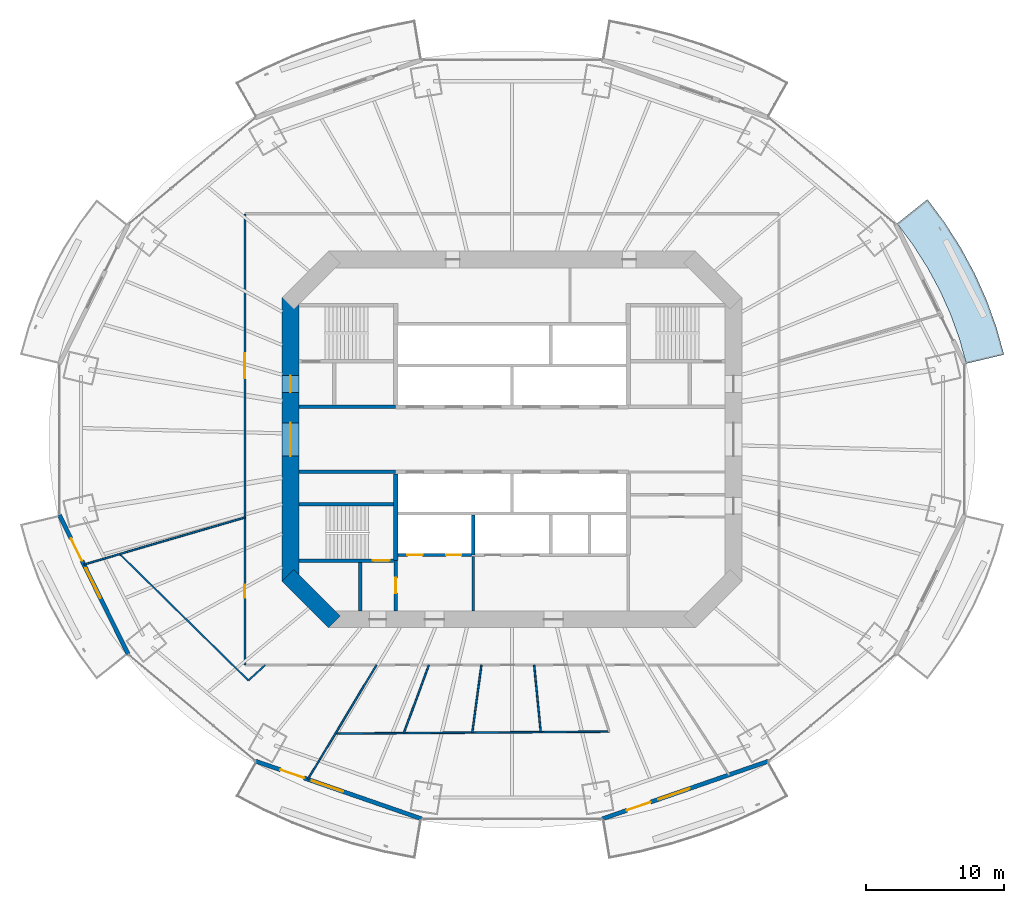
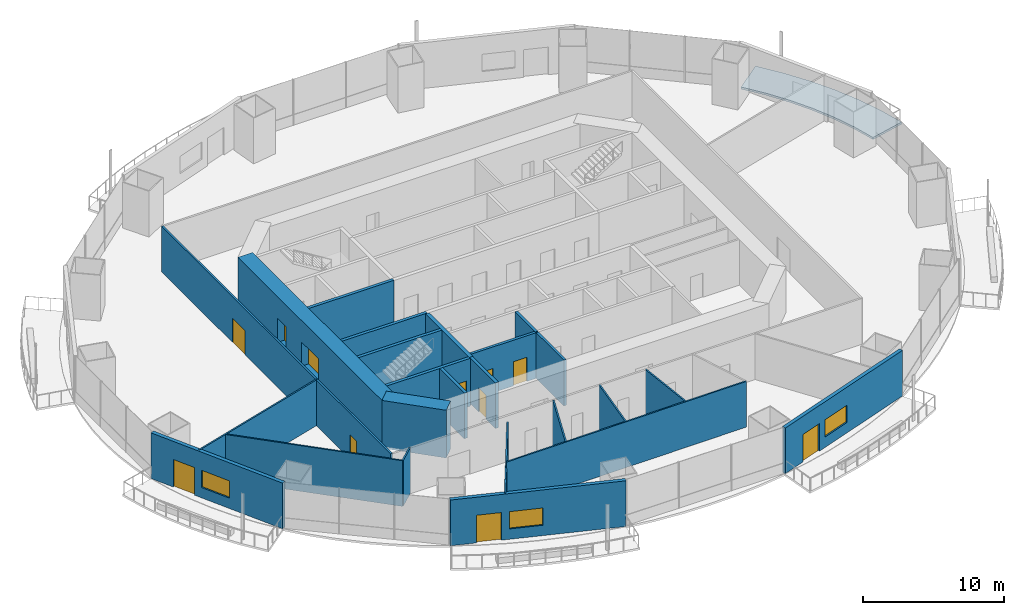
# One storey, part 12 of 20: 25 walls, 11 doors, 3 windows, 1 slab, 14 openings.
"""IFC4 building model written with IfcOpenShell, lengths in metres."""

from ifc_helpers import new_model, si_unit, direction, frame, frame_2d, origin, place, context, subcontext, project, spatial, polyline, rectangle, outline, extrude, material, layer, layer_set, type_object, element, fill, save


model = new_model("IFC4")

# Units and contexts
model_context = context("Model", 3, precision=1e-05, world=origin(), true_north=direction((0.0, 1.0)))
body_context = subcontext(model_context, "Body", "Model", "MODEL_VIEW")
ifc_project = project(units=[si_unit("LENGTHUNIT", "METRE"), si_unit("AREAUNIT", "SQUARE_METRE"), si_unit("VOLUMEUNIT", "CUBIC_METRE"), si_unit("PLANEANGLEUNIT", "RADIAN"), si_unit("MASSUNIT", "GRAM", prefix="KILO")], contexts=[model_context])

# Site, building, storey
site_placement = place(None, origin())
site = spatial("IfcSite", under=ifc_project, at=site_placement, CompositionType="ELEMENT")
building_placement = place(site_placement, origin())
building = spatial("IfcBuilding", under=site, at=building_placement, Name="Marenthal Gate Tower", CompositionType="ELEMENT")
storey_placement = place(building_placement, frame((0.0, 0.0, 136.75)))
storey = spatial("IfcBuildingStorey", under=building, at=storey_placement, Name="L29", CompositionType="ELEMENT", Elevation=136.75)

# Slab
ifc_material_1 = material(Name="Concrete 40 MPa", Category="concrete")
ifc_layer_1 = layer(ifc_material_1, 0.179931640625)
ifc_layer_set_1 = layer_set([ifc_layer_1], Name="Balcony deck 180")
slab_type = type_object("IfcSlabType", Name="Balcony deck 180", PredefinedType="USERDEFINED", material=ifc_layer_set_1)
slab_placement = place(storey_placement, frame((0.0, 0.0, -0.219970703125)))
element("IfcSlab", 1, at=slab_placement, inside=storey, type_object=slab_type, Name="Balcony deck L29 bay 1", ObjectType="BALCONY", PredefinedType="USERDEFINED", context=body_context, shape_type="SweptSolid", body=[
    extrude(outline(polyline([(32.819091796875, 5.4775390625), (32.32177734375, 7.266845703125), (31.686279296875, 9.025146484375), (30.914794921875, 10.74462890625), (30.01123046875, 12.418212890625), (28.97900390625, 14.03857421875), (27.822509765625, 15.5986328125), (30.012939453125, 17.343017578125), (31.28564453125, 15.625732421875), (32.425048828125, 13.8369140625), (33.425537109375, 11.984130859375), (34.28173828125, 10.0751953125), (34.989013671875, 8.11865234375), (35.54345703125, 6.12353515625), (32.819091796875, 5.4775390625)])), origin(), (0.0, 0.0, 1.0), 0.179931640625),
])

# Wall, openings, doors
ifc_material_2 = material(Name="Concrete 60 MPa", Category="concrete")
ifc_layer_2 = layer(ifc_material_2, 1.199951171875)
ifc_layer_set_2 = layer_set([ifc_layer_2], Name="Core shear wall 1200")
wall_type_1 = type_object("IfcWallType", Name="Core shear wall 1200", PredefinedType="SHEAR", material=ifc_layer_set_2)
wall_1_placement = place(storey_placement, frame((-16.0, 10.24853515625, -0.179931640625), z_axis=(0.0, 0.0, 1.0), x_axis=(0.0, -1.0, 0.0)))
wall_1 = element("IfcWall", 2, at=wall_1_placement, inside=storey, type_object=wall_type_1, Name="Core wall 06", PredefinedType="SHEAR", context=body_context, shape_type="SweptSolid", body=[
    extrude(rectangle(XDim=20.4970703125, YDim=1.199951171875, at=frame_2d((10.24853515625, 0.0))), origin(), (0.0, 0.0, 1.0), 4.14990234375),
])
opening_1_placement = place(wall_1_placement, frame((9.048583984375, 0.0, 0.179931640625)))
opening_1 = element("IfcOpeningElement", 3, at=opening_1_placement, cuts=wall_1, Name="Opening D003.01", PredefinedType="OPENING", context=body_context, shape_type="SweptSolid", body=[
    extrude(rectangle(XDim=2.39990234375, YDim=2.10009765625, at=frame_2d((1.199951171875, 1.050048828125))), frame((0.0, 0.60986328125, 0.0), z_axis=(0.0, -1.0, 0.0), x_axis=(1.0, 0.0, 0.0)), (0.0, 0.0, 1.0), 1.219970703125),
])
opening_2_placement = place(wall_1_placement, frame((5.6484375, 0.0, 0.179931640625)))
opening_2 = element("IfcOpeningElement", 4, at=opening_2_placement, cuts=wall_1, Name="Opening D001.04", PredefinedType="OPENING", context=body_context, shape_type="SweptSolid", body=[
    extrude(rectangle(XDim=1.199951171875, YDim=2.10009765625, at=frame_2d((0.60009765625, 1.050048828125))), frame((0.0, 0.60986328125, 0.0), z_axis=(0.0, -1.0, 0.0), x_axis=(1.0, 0.0, 0.0)), (0.0, 0.0, 1.0), 1.219970703125),
])
ifc_material_3 = material(Name="Steel fire door", Category="steel")
door_type_1 = type_object("IfcDoorType", Name="Double fire door FD 45 2400 x 2100", OperationType="DOUBLE_DOOR_SINGLE_SWING", PredefinedType="DOOR", material=ifc_material_3)
door_1_placement = place(opening_1_placement, origin())
door_1 = element("IfcDoor", 5, at=door_1_placement, inside=storey, type_object=door_type_1, Name="Door D003.01", OperationType="DOUBLE_DOOR_SINGLE_SWING", OverallHeight=2.10009765625, OverallWidth=2.39990234375, PredefinedType="DOOR", context=body_context, shape_type="SweptSolid", body=[
    extrude(rectangle(XDim=2.39990234375, YDim=2.10009765625, at=frame_2d((1.199951171875, 1.050048828125))), frame((0.0, 0.02490234375, 0.0), z_axis=(0.0, -1.0, 0.0), x_axis=(1.0, 0.0, 0.0)), (0.0, 0.0, 1.0), 0.050048828125),
])
fill(opening_1, door_1)
ifc_material_4 = material(Name="Steel fire door", Category="steel")
door_type_2 = type_object("IfcDoorType", Name="Fire door FD 90 1200 x 2100", OperationType="NOTDEFINED", PredefinedType="DOOR", material=ifc_material_4)
door_2_placement = place(opening_2_placement, origin())
door_2 = element("IfcDoor", 6, at=door_2_placement, inside=storey, type_object=door_type_2, Name="Door D001.04", OperationType="SINGLE_SWING_RIGHT", OverallHeight=2.10009765625, OverallWidth=1.199951171875, PredefinedType="DOOR", context=body_context, shape_type="SweptSolid", body=[
    extrude(rectangle(XDim=1.199951171875, YDim=2.10009765625, at=frame_2d((0.60009765625, 1.050048828125))), frame((0.0, 0.02490234375, 0.0), z_axis=(0.0, -1.0, 0.0), x_axis=(1.0, 0.0, 0.0)), (0.0, 0.0, 1.0), 0.050048828125),
])
fill(opening_2, door_2)

# Walls
wall_2_placement = place(storey_placement, frame((-16.17578125, -9.82421875, -0.179931640625), z_axis=(0.0, 0.0, 1.0), x_axis=(0.707106781187, -0.707106781187, 0.0)))
element("IfcWall", 7, at=wall_2_placement, inside=storey, type_object=wall_type_1, Name="Core wall 07", PredefinedType="SHEAR", context=body_context, shape_type="SweptSolid", body=[
    extrude(rectangle(XDim=4.73974609375, YDim=1.199951171875, at=frame_2d((2.369873046875, 0.0))), origin(), (0.0, 0.0, 1.0), 4.14990234375),
])
ifc_material_5 = material(Name="Gypsum board on steel studs", Category="steel")
ifc_layer_3 = layer(ifc_material_5, 0.199951171875)
ifc_layer_set_3 = layer_set([ifc_layer_3], Name="Fire lobby wall 200")
wall_type_2 = type_object("IfcWallType", Name="Fire lobby wall 200", PredefinedType="PARTITIONING", material=ifc_layer_set_3)
wall_3_placement = place(storey_placement, frame((-2.800048828125, -12.39990234375, 0.0), z_axis=(0.0, 0.0, 1.0), x_axis=(0.0, 1.0, 0.0)))
element("IfcWall", 8, at=wall_3_placement, inside=storey, type_object=wall_type_2, Name="Fire wall 34", PredefinedType="PARTITIONING", context=body_context, shape_type="SweptSolid", body=[
    extrude(rectangle(XDim=3.93994140625, YDim=0.199951171875, at=frame_2d((1.969970703125, 0.0))), origin(), (0.0, 0.0, 1.0), 3.969970703125),
])
ifc_material_6 = material(Name="Concrete 50 MPa", Category="concrete")
ifc_layer_4 = layer(ifc_material_6, 0.300048828125)
ifc_layer_set_4 = layer_set([ifc_layer_4], Name="Hoistway shear wall 300")
wall_type_3 = type_object("IfcWallType", Name="Hoistway shear wall 300", PredefinedType="SHEAR", material=ifc_layer_set_4)
wall_4_placement = place(storey_placement, frame((-8.39990234375, -8.75, -0.179931640625), z_axis=(0.0, 0.0, 1.0), x_axis=(0.0, 1.0, 0.0)))
element("IfcWall", 9, at=wall_4_placement, inside=storey, type_object=wall_type_3, Name="Hoistway wall 31", PredefinedType="SHEAR", context=body_context, shape_type="SweptSolid", body=[
    extrude(rectangle(XDim=6.25, YDim=0.300048828125, at=frame_2d((3.125, 0.0))), origin(), (0.0, 0.0, 1.0), 4.14990234375),
])

# Wall, openings, doors
ifc_material_7 = material(Name="Concrete 40 MPa", Category="concrete")
ifc_layer_5 = layer(ifc_material_7, 0.219970703125)
ifc_layer_set_5 = layer_set([ifc_layer_5], Name="Hoistway wall 220")
wall_type_4 = type_object("IfcWallType", Name="Hoistway wall 220", PredefinedType="STANDARD", material=ifc_layer_set_5)
wall_5_placement = place(storey_placement, frame((-8.25, -8.35009765625, 0.0), z_axis=(0.0, 0.0, 1.0), x_axis=(1.0, 0.0, 0.0)))
wall_5 = element("IfcWall", 10, at=wall_5_placement, inside=storey, type_object=wall_type_4, Name="Hoistway wall 10", PredefinedType="STANDARD", context=body_context, shape_type="SweptSolid", body=[
    extrude(rectangle(XDim=5.340087890625, YDim=0.219970703125, at=frame_2d((2.669921875, 0.0))), origin(), (0.0, 0.0, 1.0), 3.969970703125),
])
opening_3_placement = place(wall_5_placement, frame((0.699951171875, 0.0, 0.0)))
opening_3 = element("IfcOpeningElement", 11, at=opening_3_placement, cuts=wall_5, Name="Opening LD-LF1", PredefinedType="OPENING", context=body_context, shape_type="SweptSolid", body=[
    extrude(rectangle(XDim=1.10009765625, YDim=2.10009765625, at=frame_2d((0.550048828125, 1.050048828125))), frame((0.0, 0.1201171875, 0.0), z_axis=(0.0, -1.0, 0.0), x_axis=(1.0, 0.0, 0.0)), (0.0, 0.0, 1.0), 0.239990234375),
])
opening_4_placement = place(wall_5_placement, frame((3.5, 0.0, 0.0)))
opening_4 = element("IfcOpeningElement", 12, at=opening_4_placement, cuts=wall_5, Name="Opening LD-LF2", PredefinedType="OPENING", context=body_context, shape_type="SweptSolid", body=[
    extrude(rectangle(XDim=1.10009765625, YDim=2.10009765625, at=frame_2d((0.550048828125, 1.050048828125))), frame((0.0, 0.1201171875, 0.0), z_axis=(0.0, -1.0, 0.0), x_axis=(1.0, 0.0, 0.0)), (0.0, 0.0, 1.0), 0.239990234375),
])
ifc_material_8 = material(Name="Stainless steel sliding door", Category="steel")
door_type_3 = type_object("IfcDoorType", Name="Lift landing door FD 90 1100 x 2100", OperationType="DOUBLE_DOOR_SLIDING", PredefinedType="DOOR", material=ifc_material_8)
door_3_placement = place(opening_3_placement, origin())
door_3 = element("IfcDoor", 13, at=door_3_placement, inside=storey, type_object=door_type_3, Name="Lift landing door LF1", OperationType="DOUBLE_DOOR_SLIDING", OverallHeight=2.10009765625, OverallWidth=1.10009765625, PredefinedType="DOOR", context=body_context, shape_type="SweptSolid", body=[
    extrude(rectangle(XDim=1.10009765625, YDim=2.10009765625, at=frame_2d((0.550048828125, 1.050048828125))), frame((0.0, 0.02490234375, 0.0), z_axis=(0.0, -1.0, 0.0), x_axis=(1.0, 0.0, 0.0)), (0.0, 0.0, 1.0), 0.050048828125),
])
fill(opening_3, door_3)
door_4_placement = place(opening_4_placement, origin())
door_4 = element("IfcDoor", 14, at=door_4_placement, inside=storey, type_object=door_type_3, Name="Lift landing door LF2", OperationType="DOUBLE_DOOR_SLIDING", OverallHeight=2.10009765625, OverallWidth=1.10009765625, PredefinedType="DOOR", context=body_context, shape_type="SweptSolid", body=[
    extrude(rectangle(XDim=1.10009765625, YDim=2.10009765625, at=frame_2d((0.550048828125, 1.050048828125))), frame((0.0, 0.02490234375, 0.0), z_axis=(0.0, -1.0, 0.0), x_axis=(1.0, 0.0, 0.0)), (0.0, 0.0, 1.0), 0.050048828125),
])
fill(opening_4, door_4)

# Walls
wall_6_placement = place(storey_placement, frame((-2.800048828125, -8.35009765625, 0.0), z_axis=(0.0, 0.0, 1.0), x_axis=(0.0, 1.0, 0.0)))
element("IfcWall", 15, at=wall_6_placement, inside=storey, type_object=wall_type_4, Name="Hoistway wall 35", PredefinedType="STANDARD", context=body_context, shape_type="SweptSolid", body=[
    extrude(rectangle(XDim=2.89013671875, YDim=0.219970703125, at=frame_2d((1.445068359375, 0.0))), origin(), (0.0, 0.0, 1.0), 3.969970703125),
])
ifc_material_9 = material(Name="Gypsum board on steel studs", Category="steel")
ifc_layer_6 = layer(ifc_material_9, 0.1201171875)
ifc_layer_set_6 = layer_set([ifc_layer_6], Name="Partition 120")
wall_type_5 = type_object("IfcWallType", Name="Partition 120", PredefinedType="PARTITIONING", material=ifc_layer_set_6)
wall_7_placement = place(storey_placement, frame((-28.33935546875, -8.283203125, 0.0), z_axis=(0.0, 0.0, 1.0), x_axis=(0.713457191916, -0.700698819254, 0.0)))
element("IfcWall", 16, at=wall_7_placement, inside=storey, type_object=wall_type_5, Name="Partition wall 47", PredefinedType="PARTITIONING", context=body_context, shape_type="SweptSolid", body=[
    extrude(rectangle(XDim=13.031494140625, YDim=0.1201171875, at=frame_2d((6.515625, 0.0))), origin(), (0.0, 0.0, 1.0), 3.969970703125),
])
wall_8_placement = place(storey_placement, frame((-19.300048828125, -5.64111328125, 0.0), z_axis=(0.0, 0.0, 1.0), x_axis=(-0.959840289201, -0.280547000032, 0.0)))
element("IfcWall", 17, at=wall_8_placement, inside=storey, type_object=wall_type_5, Name="Partition wall 49", PredefinedType="PARTITIONING", context=body_context, shape_type="SweptSolid", body=[
    extrude(rectangle(XDim=12.1162109375, YDim=0.1201171875, at=frame_2d((6.05810546875, 0.0))), origin(), (0.0, 0.0, 1.0), 3.969970703125),
])
wall_9_placement = place(storey_placement, frame((-19.0419921875, -17.414306640625, 0.0), z_axis=(0.0, 0.0, 1.0), x_axis=(0.73796990182, 0.67483362691, 0.0)))
element("IfcWall", 18, at=wall_9_placement, inside=storey, type_object=wall_type_5, Name="Partition wall 51", PredefinedType="PARTITIONING", context=body_context, shape_type="SweptSolid", body=[
    extrude(rectangle(XDim=1.651123046875, YDim=0.1201171875, at=frame_2d((0.82568359375, 0.0))), origin(), (0.0, 0.0, 1.0), 3.969970703125),
])
wall_10_placement = place(storey_placement, frame((-12.761962890625, -21.254638671875, 0.0), z_axis=(0.0, 0.0, 1.0), x_axis=(0.999972864722, 0.007366805289, 0.0)))
element("IfcWall", 19, at=wall_10_placement, inside=storey, type_object=wall_type_5, Name="Partition wall 52", PredefinedType="PARTITIONING", context=body_context, shape_type="SweptSolid", body=[
    extrude(rectangle(XDim=19.784912109375, YDim=0.1201171875, at=frame_2d((9.892578125, 0.0))), origin(), (0.0, 0.0, 1.0), 3.969970703125),
])
wall_11_placement = place(storey_placement, frame((-9.787109375, -16.300048828125, 0.0), z_axis=(0.0, 0.0, 1.0), x_axis=(-0.514767791152, -0.857329645581, 0.0)))
element("IfcWall", 20, at=wall_11_placement, inside=storey, type_object=wall_type_5, Name="Partition wall 53", PredefinedType="PARTITIONING", context=body_context, shape_type="SweptSolid", body=[
    extrude(rectangle(XDim=7.91796875, YDim=0.1201171875, at=frame_2d((3.958984375, 0.0))), origin(), (0.0, 0.0, 1.0), 3.43408203125),
])
wall_12_placement = place(storey_placement, frame((-13.863037109375, -23.08837890625, 0.0), z_axis=(0.0, 0.0, 1.0), x_axis=(-0.514663331063, -0.85739235806, 0.0)))
element("IfcWall", 21, at=wall_12_placement, inside=storey, type_object=wall_type_5, Name="Partition wall 62", PredefinedType="PARTITIONING", context=body_context, shape_type="SweptSolid", body=[
    extrude(rectangle(XDim=1.7138671875, YDim=0.1201171875, at=frame_2d((0.85693359375, 0.0))), origin(), (0.0, 0.0, 1.0), 3.969970703125),
])
wall_13_placement = place(storey_placement, frame((-7.81591796875, -21.21826171875, 0.0), z_axis=(0.0, 0.0, 1.0), x_axis=(0.345670821163, 0.938355840498, 0.0)))
element("IfcWall", 22, at=wall_13_placement, inside=storey, type_object=wall_type_5, Name="Partition wall 54", PredefinedType="PARTITIONING", context=body_context, shape_type="SweptSolid", body=[
    extrude(rectangle(XDim=5.2412109375, YDim=0.1201171875, at=frame_2d((2.62060546875, 0.0))), origin(), (0.0, 0.0, 1.0), 3.969970703125),
])
wall_14_placement = place(storey_placement, frame((-2.86962890625, -21.181640625, 0.0), z_axis=(0.0, 0.0, 1.0), x_axis=(0.134257269098, 0.990946510007, 0.0)))
element("IfcWall", 23, at=wall_14_placement, inside=storey, type_object=wall_type_5, Name="Partition wall 55", PredefinedType="PARTITIONING", context=body_context, shape_type="SweptSolid", body=[
    extrude(rectangle(XDim=4.92626953125, YDim=0.1201171875, at=frame_2d((2.463134765625, 0.0))), origin(), (0.0, 0.0, 1.0), 3.969970703125),
])
wall_15_placement = place(storey_placement, frame((2.076416015625, -21.145263671875, 0.0), z_axis=(0.0, 0.0, 1.0), x_axis=(-0.097736013263, 0.99521237518, 0.0)))
element("IfcWall", 24, at=wall_15_placement, inside=storey, type_object=wall_type_5, Name="Partition wall 56", PredefinedType="PARTITIONING", context=body_context, shape_type="SweptSolid", body=[
    extrude(rectangle(XDim=4.868408203125, YDim=0.1201171875, at=frame_2d((2.43408203125, 0.0))), origin(), (0.0, 0.0, 1.0), 3.969970703125),
])

# Wall, openings, doors
ifc_material_10 = material(Name="Gypsum board on steel studs", Category="steel")
ifc_layer_7 = layer(ifc_material_10, 0.14990234375)
ifc_layer_set_7 = layer_set([ifc_layer_7], Name="Partition 150")
wall_type_6 = type_object("IfcWallType", Name="Partition 150", PredefinedType="PARTITIONING", material=ifc_layer_set_7)
wall_16_placement = place(storey_placement, frame((-19.300048828125, -16.300048828125, 0.0), z_axis=(0.0, 0.0, 1.0), x_axis=(0.0, 1.0, 0.0)))
wall_16 = element("IfcWall", 25, at=wall_16_placement, inside=storey, type_object=wall_type_6, Name="Partition wall 48", PredefinedType="PARTITIONING", context=body_context, shape_type="SweptSolid", body=[
    extrude(rectangle(XDim=32.60009765625, YDim=0.14990234375, at=frame_2d((16.300048828125, 0.0))), origin(), (0.0, 0.0, 1.0), 3.969970703125),
])
opening_5_placement = place(wall_16_placement, frame((20.72998046875, 0.0, 0.0)))
opening_5 = element("IfcOpeningElement", 26, at=opening_5_placement, cuts=wall_16, Name="Opening D014.01", PredefinedType="OPENING", context=body_context, shape_type="SweptSolid", body=[
    extrude(rectangle(XDim=1.800048828125, YDim=2.10009765625, at=frame_2d((0.89990234375, 1.050048828125))), frame((0.0, 0.0849609375, 0.0), z_axis=(0.0, -1.0, 0.0), x_axis=(1.0, 0.0, 0.0)), (0.0, 0.0, 1.0), 0.169921875),
])
opening_6_placement = place(wall_16_placement, frame((4.85498046875, 0.0, 0.0)))
opening_6 = element("IfcOpeningElement", 27, at=opening_6_placement, cuts=wall_16, Name="Opening D016.01", PredefinedType="OPENING", context=body_context, shape_type="SweptSolid", body=[
    extrude(rectangle(XDim=0.949951171875, YDim=2.10009765625, at=frame_2d((0.47509765625, 1.050048828125))), frame((0.0, 0.0849609375, 0.0), z_axis=(0.0, -1.0, 0.0), x_axis=(1.0, 0.0, 0.0)), (0.0, 0.0, 1.0), 0.169921875),
])
ifc_material_11 = material(Name="Timber door", Category="wood")
door_type_4 = type_object("IfcDoorType", Name="Door 950 x 2100", OperationType="NOTDEFINED", PredefinedType="DOOR", material=ifc_material_11)
door_5_placement = place(opening_6_placement, origin())
door_5 = element("IfcDoor", 28, at=door_5_placement, inside=storey, type_object=door_type_4, Name="Door D016.01", OperationType="SINGLE_SWING_RIGHT", OverallHeight=2.10009765625, OverallWidth=0.949951171875, PredefinedType="DOOR", context=body_context, shape_type="SweptSolid", body=[
    extrude(rectangle(XDim=0.949951171875, YDim=2.10009765625, at=frame_2d((0.47509765625, 1.050048828125))), frame((0.0, 0.02490234375, 0.0), z_axis=(0.0, -1.0, 0.0), x_axis=(1.0, 0.0, 0.0)), (0.0, 0.0, 1.0), 0.050048828125),
])
fill(opening_6, door_5)
ifc_material_12 = material(Name="Timber door", Category="wood")
door_type_5 = type_object("IfcDoorType", Name="Double door 1800 x 2100", OperationType="DOUBLE_DOOR_SINGLE_SWING", PredefinedType="DOOR", material=ifc_material_12)
door_6_placement = place(opening_5_placement, origin())
door_6 = element("IfcDoor", 29, at=door_6_placement, inside=storey, type_object=door_type_5, Name="Door D014.01", OperationType="DOUBLE_DOOR_SINGLE_SWING", OverallHeight=2.10009765625, OverallWidth=1.800048828125, PredefinedType="DOOR", context=body_context, shape_type="SweptSolid", body=[
    extrude(rectangle(XDim=1.800048828125, YDim=2.10009765625, at=frame_2d((0.89990234375, 1.050048828125))), frame((0.0, 0.02490234375, 0.0), z_axis=(0.0, -1.0, 0.0), x_axis=(1.0, 0.0, 0.0)), (0.0, 0.0, 1.0), 0.050048828125),
])
fill(opening_5, door_6)

# Walls
ifc_material_13 = material(Name="Concrete 40 MPa", Category="concrete")
ifc_layer_8 = layer(ifc_material_13, 0.25)
ifc_layer_set_8 = layer_set([ifc_layer_8], Name="Stair enclosure wall 250")
wall_type_7 = type_object("IfcWallType", Name="Stair enclosure wall 250", PredefinedType="STANDARD", material=ifc_layer_set_8)
for number, where, z_axis, x_axis, name in (
    (30, (-15.39990234375, -2.35009765625, 0.0), (0.0, 0.0, 1.0), (1.0, 0.0, 0.0), "Stair wall 16"),
    (31, (-15.39990234375, 2.35009765625, 0.0), (0.0, 0.0, 1.0), (1.0, 0.0, 0.0), "Stair wall 19"),
):
    element("IfcWall", number, at=place(storey_placement, frame(where, z_axis=z_axis, x_axis=x_axis)), inside=storey, type_object=wall_type_7, Name=name, PredefinedType="STANDARD", context=body_context, shape_type="SweptSolid", body=[
        extrude(rectangle(XDim=7.0, YDim=0.25, at=frame_2d((3.5, 0.0))), origin(), (0.0, 0.0, 1.0), 3.969970703125),
    ])
wall_17_placement = place(storey_placement, frame((-10.949951171875, -12.39990234375, 0.0), z_axis=(0.0, 0.0, 1.0), x_axis=(0.0, 1.0, 0.0)))
element("IfcWall", 32, at=wall_17_placement, inside=storey, type_object=wall_type_7, Name="Stair wall 29", PredefinedType="STANDARD", context=body_context, shape_type="SweptSolid", body=[
    extrude(rectangle(XDim=3.52490234375, YDim=0.25, at=frame_2d((1.762451171875, 0.0))), origin(), (0.0, 0.0, 1.0), 3.969970703125),
])

# Wall, opening, door
wall_18_placement = place(storey_placement, frame((-8.39990234375, -12.39990234375, 0.0), z_axis=(0.0, 0.0, 1.0), x_axis=(0.0, 1.0, 0.0)))
wall_18 = element("IfcWall", 33, at=wall_18_placement, inside=storey, type_object=wall_type_7, Name="Stair wall 30", PredefinedType="STANDARD", context=body_context, shape_type="SweptSolid", body=[
    extrude(rectangle(XDim=3.64990234375, YDim=0.25, at=frame_2d((1.824951171875, 0.0))), origin(), (0.0, 0.0, 1.0), 3.969970703125),
])
opening_7_placement = place(wall_18_placement, frame((1.300048828125, 0.0, 0.0)))
opening_7 = element("IfcOpeningElement", 34, at=opening_7_placement, cuts=wall_18, Name="Opening D002.01", PredefinedType="OPENING", context=body_context, shape_type="SweptSolid", body=[
    extrude(rectangle(XDim=1.10009765625, YDim=2.10009765625, at=frame_2d((0.550048828125, 1.050048828125))), frame((0.0, 0.135009765625, 0.0), z_axis=(0.0, -1.0, 0.0), x_axis=(1.0, 0.0, 0.0)), (0.0, 0.0, 1.0), 0.27001953125),
])
ifc_material_14 = material(Name="Steel fire door", Category="steel")
door_type_6 = type_object("IfcDoorType", Name="Fire door FD 90 1100 x 2100", OperationType="NOTDEFINED", PredefinedType="DOOR", material=ifc_material_14)
door_7_placement = place(opening_7_placement, origin())
door_7 = element("IfcDoor", 35, at=door_7_placement, inside=storey, type_object=door_type_6, Name="Door D002.01", OperationType="SINGLE_SWING_RIGHT", OverallHeight=2.10009765625, OverallWidth=1.10009765625, PredefinedType="DOOR", context=body_context, shape_type="SweptSolid", body=[
    extrude(rectangle(XDim=1.10009765625, YDim=2.10009765625, at=frame_2d((0.550048828125, 1.050048828125))), frame((0.0, 0.02490234375, 0.0), z_axis=(0.0, -1.0, 0.0), x_axis=(1.0, 0.0, 0.0)), (0.0, 0.0, 1.0), 0.050048828125),
])
fill(opening_7, door_7)

ifc_material_15 = material(Name="Concrete 50 MPa", Category="concrete")
ifc_layer_9 = layer(ifc_material_15, 0.25)
ifc_layer_set_9 = layer_set([ifc_layer_9], Name="Stair shear wall 250")
wall_type_8 = type_object("IfcWallType", Name="Stair shear wall 250", PredefinedType="SHEAR", material=ifc_layer_set_9)
wall_19_placement = place(storey_placement, frame((-15.39990234375, -8.75, -0.179931640625), z_axis=(0.0, 0.0, 1.0), x_axis=(1.0, 0.0, 0.0)))
wall_19 = element("IfcWall", 36, at=wall_19_placement, inside=storey, type_object=wall_type_8, Name="Stair wall 09", PredefinedType="SHEAR", context=body_context, shape_type="SweptSolid", body=[
    extrude(rectangle(XDim=6.849853515625, YDim=0.25, at=frame_2d((3.4248046875, 0.0))), origin(), (0.0, 0.0, 1.0), 4.14990234375),
])
opening_8_placement = place(wall_19_placement, frame((5.35009765625, 0.0, 0.179931640625)))
opening_8 = element("IfcOpeningElement", 37, at=opening_8_placement, cuts=wall_19, Name="Opening D001.03", PredefinedType="OPENING", context=body_context, shape_type="SweptSolid", body=[
    extrude(rectangle(XDim=1.199951171875, YDim=2.10009765625, at=frame_2d((0.60009765625, 1.050048828125))), frame((0.0, 0.135009765625, 0.0), z_axis=(0.0, -1.0, 0.0), x_axis=(1.0, 0.0, 0.0)), (0.0, 0.0, 1.0), 0.27001953125),
])
door_8_placement = place(opening_8_placement, origin())
door_8 = element("IfcDoor", 38, at=door_8_placement, inside=storey, type_object=door_type_2, Name="Door D001.03", OperationType="SINGLE_SWING_RIGHT", OverallHeight=2.10009765625, OverallWidth=1.199951171875, PredefinedType="DOOR", context=body_context, shape_type="SweptSolid", body=[
    extrude(rectangle(XDim=1.199951171875, YDim=2.10009765625, at=frame_2d((0.60009765625, 1.050048828125))), frame((0.0, 0.02490234375, 0.0), z_axis=(0.0, -1.0, 0.0), x_axis=(1.0, 0.0, 0.0)), (0.0, 0.0, 1.0), 0.050048828125),
])
fill(opening_8, door_8)

# Wall
wall_20_placement = place(storey_placement, frame((-15.39990234375, -4.699951171875, -0.179931640625), z_axis=(0.0, 0.0, 1.0), x_axis=(1.0, 0.0, 0.0)))
element("IfcWall", 39, at=wall_20_placement, inside=storey, type_object=wall_type_8, Name="Stair wall 14", PredefinedType="SHEAR", context=body_context, shape_type="SweptSolid", body=[
    extrude(rectangle(XDim=6.849853515625, YDim=0.25, at=frame_2d((3.4248046875, 0.0))), origin(), (0.0, 0.0, 1.0), 4.14990234375),
])

# Wall, openings, door, window
ifc_material_16 = material(Name="Terracotta cladding on insulated concrete-block backing", Category="masonry")
ifc_layer_10 = layer(ifc_material_16, 0.300048828125)
ifc_layer_set_10 = layer_set([ifc_layer_10], Name="Terracotta facade wall 300")
wall_type_9 = type_object("IfcWallType", Name="Terracotta facade wall 300", PredefinedType="SOLIDWALL", material=ifc_layer_set_10)
wall_21_placement = place(storey_placement, frame((-32.701416015625, -5.4541015625, 0.0), z_axis=(0.0, 0.0, 1.0), x_axis=(0.442899302783, -0.896571362243, 0.0)))
wall_21 = element("IfcWall", 40, at=wall_21_placement, inside=storey, type_object=wall_type_9, Name="Terracotta facade wall L29 bay 9", PredefinedType="SOLIDWALL", context=body_context, shape_type="SweptSolid", body=[
    extrude(rectangle(XDim=11.24072265625, YDim=0.300048828125, at=frame_2d((5.620361328125, 0.0))), origin(), (0.0, 0.0, 1.0), 3.969970703125),
])
opening_9_placement = place(wall_21_placement, frame((1.89990234375, 0.0, 0.0)))
opening_9 = element("IfcOpeningElement", 41, at=opening_9_placement, cuts=wall_21, Name="Opening BD-L29-09", PredefinedType="OPENING", context=body_context, shape_type="SweptSolid", body=[
    extrude(rectangle(XDim=1.800048828125, YDim=2.39990234375, at=frame_2d((0.89990234375, 1.199951171875))), frame((0.0, 0.16015625, 0.0), z_axis=(0.0, -1.0, 0.0), x_axis=(1.0, 0.0, 0.0)), (0.0, 0.0, 1.0), 0.320068359375),
])
opening_10_placement = place(wall_21_placement, frame((4.300048828125, 0.0, 0.89990234375)))
opening_10 = element("IfcOpeningElement", 42, at=opening_10_placement, cuts=wall_21, Name="Opening WN1-L29-09", PredefinedType="OPENING", context=body_context, shape_type="SweptSolid", body=[
    extrude(rectangle(XDim=2.39990234375, YDim=1.5, at=frame_2d((1.199951171875, 0.75))), frame((0.0, 0.16015625, 0.0), z_axis=(0.0, -1.0, 0.0), x_axis=(1.0, 0.0, 0.0)), (0.0, 0.0, 1.0), 0.320068359375),
])
ifc_material_17 = material(Name="Aluminium and glass", Category="aluminium")
door_type_7 = type_object("IfcDoorType", Name="Balcony door 1800x2400", OperationType="DOUBLE_DOOR_SINGLE_SWING", PredefinedType="DOOR", material=ifc_material_17)
door_9_placement = place(opening_9_placement, origin())
door_9 = element("IfcDoor", 43, at=door_9_placement, inside=storey, type_object=door_type_7, Name="Balcony door L29 bay 9", OperationType="SINGLE_SWING_LEFT", OverallHeight=2.39990234375, OverallWidth=1.800048828125, PredefinedType="DOOR", context=body_context, shape_type="SweptSolid", body=[
    extrude(rectangle(XDim=1.800048828125, YDim=2.39990234375, at=frame_2d((0.89990234375, 1.199951171875))), frame((0.0, 0.02490234375, 0.0), z_axis=(0.0, -1.0, 0.0), x_axis=(1.0, 0.0, 0.0)), (0.0, 0.0, 1.0), 0.050048828125),
])
fill(opening_9, door_9)
ifc_material_18 = material(Name="Aluminium and glass", Category="aluminium")
window_type = type_object("IfcWindowType", Name="Window 2400x1500", PartitioningType="TRIPLE_PANEL_VERTICAL", PredefinedType="WINDOW", material=ifc_material_18)
window_1_placement = place(opening_10_placement, origin())
window_1 = element("IfcWindow", 44, at=window_1_placement, inside=storey, type_object=window_type, Name="Window L29 bay 9", OverallHeight=1.5, OverallWidth=2.39990234375, PartitioningType="SINGLE_PANEL", PredefinedType="WINDOW", context=body_context, shape_type="SweptSolid", body=[
    extrude(rectangle(XDim=2.39990234375, YDim=1.5, at=frame_2d((1.199951171875, 0.75))), frame((0.0, 0.030029296875, 0.0), z_axis=(0.0, -1.0, 0.0), x_axis=(1.0, 0.0, 0.0)), (0.0, 0.0, 1.0), 0.06005859375),
])
fill(opening_10, window_1)

wall_22_placement = place(storey_placement, frame((-18.523681640625, -23.245361328125, 0.0), z_axis=(0.0, 0.0, 1.0), x_axis=(0.944642444618, -0.328101587661, 0.0)))
wall_22 = element("IfcWall", 45, at=wall_22_placement, inside=storey, type_object=wall_type_9, Name="Terracotta facade wall L29 bay 11", PredefinedType="SOLIDWALL", context=body_context, shape_type="SweptSolid", body=[
    extrude(rectangle(XDim=12.723388671875, YDim=0.300048828125, at=frame_2d((6.36181640625, 0.0))), origin(), (0.0, 0.0, 1.0), 3.969970703125),
])
opening_11_placement = place(wall_22_placement, frame((1.89990234375, 0.0, 0.0)))
opening_11 = element("IfcOpeningElement", 46, at=opening_11_placement, cuts=wall_22, Name="Opening BD-L29-11", PredefinedType="OPENING", context=body_context, shape_type="SweptSolid", body=[
    extrude(rectangle(XDim=1.800048828125, YDim=2.39990234375, at=frame_2d((0.89990234375, 1.199951171875))), frame((0.0, 0.16015625, 0.0), z_axis=(0.0, -1.0, 0.0), x_axis=(1.0, 0.0, 0.0)), (0.0, 0.0, 1.0), 0.320068359375),
])
opening_12_placement = place(wall_22_placement, frame((4.300048828125, 0.0, 0.89990234375)))
opening_12 = element("IfcOpeningElement", 47, at=opening_12_placement, cuts=wall_22, Name="Opening WN1-L29-11", PredefinedType="OPENING", context=body_context, shape_type="SweptSolid", body=[
    extrude(rectangle(XDim=2.39990234375, YDim=1.5, at=frame_2d((1.199951171875, 0.75))), frame((0.0, 0.16015625, 0.0), z_axis=(0.0, -1.0, 0.0), x_axis=(1.0, 0.0, 0.0)), (0.0, 0.0, 1.0), 0.320068359375),
])
door_10_placement = place(opening_11_placement, origin())
door_10 = element("IfcDoor", 48, at=door_10_placement, inside=storey, type_object=door_type_7, Name="Balcony door L29 bay 11", OperationType="SINGLE_SWING_LEFT", OverallHeight=2.39990234375, OverallWidth=1.800048828125, PredefinedType="DOOR", context=body_context, shape_type="SweptSolid", body=[
    extrude(rectangle(XDim=1.800048828125, YDim=2.39990234375, at=frame_2d((0.89990234375, 1.199951171875))), frame((0.0, 0.02490234375, 0.0), z_axis=(0.0, -1.0, 0.0), x_axis=(1.0, 0.0, 0.0)), (0.0, 0.0, 1.0), 0.050048828125),
])
fill(opening_11, door_10)
window_2_placement = place(opening_12_placement, origin())
window_2 = element("IfcWindow", 49, at=window_2_placement, inside=storey, type_object=window_type, Name="Window L29 bay 11", OverallHeight=1.5, OverallWidth=2.39990234375, PartitioningType="SINGLE_PANEL", PredefinedType="WINDOW", context=body_context, shape_type="SweptSolid", body=[
    extrude(rectangle(XDim=2.39990234375, YDim=1.5, at=frame_2d((1.199951171875, 0.75))), frame((0.0, 0.030029296875, 0.0), z_axis=(0.0, -1.0, 0.0), x_axis=(1.0, 0.0, 0.0)), (0.0, 0.0, 1.0), 0.06005859375),
])
fill(opening_12, window_2)

wall_23_placement = place(storey_placement, frame((6.504638671875, -27.419921875, 0.0), z_axis=(0.0, 0.0, 1.0), x_axis=(0.944644510201, 0.32809564055, 0.0)))
wall_23 = element("IfcWall", 50, at=wall_23_placement, inside=storey, type_object=wall_type_9, Name="Terracotta facade wall L29 bay 13", PredefinedType="SOLIDWALL", context=body_context, shape_type="SweptSolid", body=[
    extrude(rectangle(XDim=12.7236328125, YDim=0.300048828125, at=frame_2d((6.36181640625, 0.0))), origin(), (0.0, 0.0, 1.0), 3.969970703125),
])
opening_13_placement = place(wall_23_placement, frame((1.89990234375, 0.0, 0.0)))
opening_13 = element("IfcOpeningElement", 51, at=opening_13_placement, cuts=wall_23, Name="Opening BD-L29-13", PredefinedType="OPENING", context=body_context, shape_type="SweptSolid", body=[
    extrude(rectangle(XDim=1.800048828125, YDim=2.39990234375, at=frame_2d((0.89990234375, 1.199951171875))), frame((0.0, 0.16015625, 0.0), z_axis=(0.0, -1.0, 0.0), x_axis=(1.0, 0.0, 0.0)), (0.0, 0.0, 1.0), 0.320068359375),
])
opening_14_placement = place(wall_23_placement, frame((4.300048828125, 0.0, 0.89990234375)))
opening_14 = element("IfcOpeningElement", 52, at=opening_14_placement, cuts=wall_23, Name="Opening WN1-L29-13", PredefinedType="OPENING", context=body_context, shape_type="SweptSolid", body=[
    extrude(rectangle(XDim=2.39990234375, YDim=1.5, at=frame_2d((1.199951171875, 0.75))), frame((0.0, 0.16015625, 0.0), z_axis=(0.0, -1.0, 0.0), x_axis=(1.0, 0.0, 0.0)), (0.0, 0.0, 1.0), 0.320068359375),
])
door_11_placement = place(opening_13_placement, origin())
door_11 = element("IfcDoor", 53, at=door_11_placement, inside=storey, type_object=door_type_7, Name="Balcony door L29 bay 13", OperationType="SINGLE_SWING_LEFT", OverallHeight=2.39990234375, OverallWidth=1.800048828125, PredefinedType="DOOR", context=body_context, shape_type="SweptSolid", body=[
    extrude(rectangle(XDim=1.800048828125, YDim=2.39990234375, at=frame_2d((0.89990234375, 1.199951171875))), frame((0.0, 0.02490234375, 0.0), z_axis=(0.0, -1.0, 0.0), x_axis=(1.0, 0.0, 0.0)), (0.0, 0.0, 1.0), 0.050048828125),
])
fill(opening_13, door_11)
window_3_placement = place(opening_14_placement, origin())
window_3 = element("IfcWindow", 54, at=window_3_placement, inside=storey, type_object=window_type, Name="Window L29 bay 13", OverallHeight=1.5, OverallWidth=2.39990234375, PartitioningType="SINGLE_PANEL", PredefinedType="WINDOW", context=body_context, shape_type="SweptSolid", body=[
    extrude(rectangle(XDim=2.39990234375, YDim=1.5, at=frame_2d((1.199951171875, 0.75))), frame((0.0, 0.030029296875, 0.0), z_axis=(0.0, -1.0, 0.0), x_axis=(1.0, 0.0, 0.0)), (0.0, 0.0, 1.0), 0.06005859375),
])
fill(opening_14, window_3)

save(model, "model.ifc")
